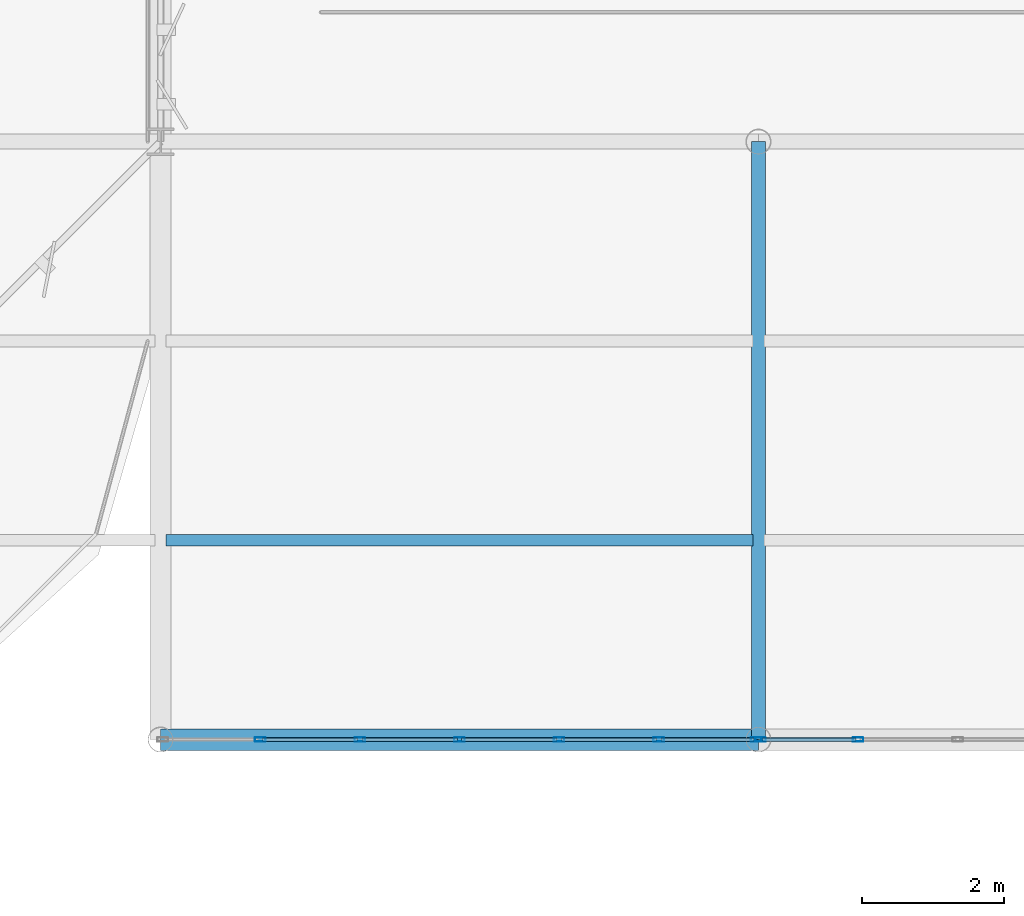
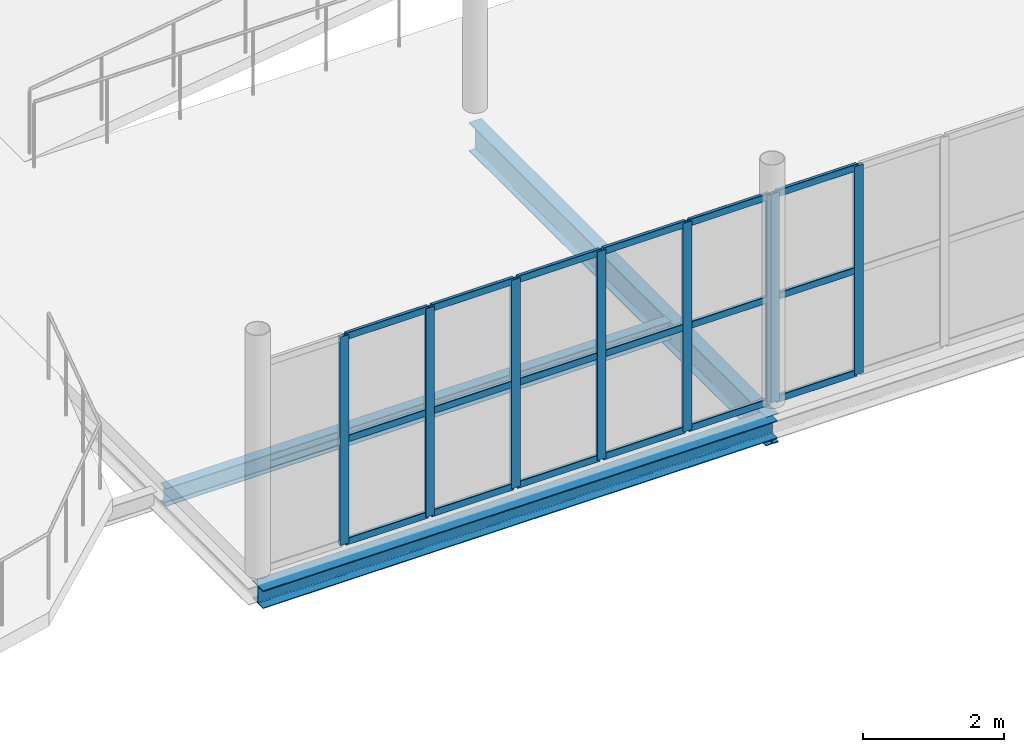
# One storey, part 130 of 184: 26 members, 3 beams, 2 elements without a shape of their own.
"""IFC4 building model written with IfcOpenShell, lengths in metres."""

from ifc_helpers import new_model, si_unit, direction, frame, origin, origin_2d, place, context, subcontext, project, spatial, hollow_rectangle, i_section, extrude, material, layer, layer_set, material_profile, profile_set, type_object, element, aggregate, save


model = new_model("IFC4")

# Units and contexts
model_context = context("Model", 3, precision=1e-05, world=origin(), true_north=direction((0.0, 1.0)))
body_context = subcontext(model_context, "Body", "Model", "MODEL_VIEW")
ifc_project = project(units=[si_unit("LENGTHUNIT", "METRE"), si_unit("AREAUNIT", "SQUARE_METRE"), si_unit("VOLUMEUNIT", "CUBIC_METRE"), si_unit("PLANEANGLEUNIT", "RADIAN"), si_unit("MASSUNIT", "GRAM", prefix="KILO")], contexts=[model_context])

# Site, building, storey
site_placement = place(None, origin())
site = spatial("IfcSite", under=ifc_project, at=site_placement, CompositionType="ELEMENT")
building_placement = place(site_placement, origin())
building = spatial("IfcBuilding", under=site, at=building_placement, Name="Qalvenar Corner Mobility Hub", CompositionType="ELEMENT")
storey_placement = place(building_placement, frame((0.0, 0.0, 9.0)))
storey = spatial("IfcBuildingStorey", under=building, at=storey_placement, Name="L02", CompositionType="ELEMENT", Elevation=9.0)

# Beams
ifc_material_1 = material(Name="Steel S355", Category="steel")
ifc_material_profile_1 = material_profile(ifc_material_1, i_section(OverallWidth=0.199951171875, OverallDepth=0.5, WebThickness=0.01025390625, FlangeThickness=0.01611328125, FilletRadius=0.02099609375, at=origin_2d()), Name="IPE500")
ifc_profile_set_1 = profile_set([ifc_material_profile_1], Name="Steel S355")
beam_type_1 = type_object("IfcBeamType", Name="BM-IPE500", PredefinedType="BEAM", material=ifc_profile_set_1)
beam_1_placement = place(storey_placement, frame((151.199951171875, 67.199951171875, -0.489990234375), z_axis=(0.0, 1.0, 0.0), x_axis=(-1.0, 0.0, 0.0)))
element("IfcBeam", 1, at=beam_1_placement, inside=storey, type_object=beam_type_1, Name="Primary Steel Girder GY-2130", PredefinedType="BEAM", context=body_context, shape_type="SweptSolid", body=[
    extrude(i_section(OverallWidth=0.199951171875, OverallDepth=0.5, WebThickness=0.01025390625, FlangeThickness=0.01611328125, FilletRadius=0.02099609375, at=origin_2d()), origin(), (0.0, 0.0, 1.0), 8.400146484375),
])
ifc_material_profile_2 = material_profile(ifc_material_1, i_section(OverallWidth=0.1650390625, OverallDepth=0.31005859375, WebThickness=0.005859375, FlangeThickness=0.009765625, FilletRadius=0.011962890625, at=origin_2d()), Name="W310x38.7")
ifc_profile_set_2 = profile_set([ifc_material_profile_2], Name="Steel S355")
beam_type_2 = type_object("IfcBeamType", Name="BM-JST310", PredefinedType="JOIST", material=ifc_profile_set_2)
beam_2_placement = place(storey_placement, frame((142.8779296875, 70.0, -0.39501953125), z_axis=(1.0, 0.0, 0.0), x_axis=(0.0, 1.0, 0.0)))
element("IfcBeam", 2, at=beam_2_placement, inside=storey, type_object=beam_type_2, Name="Composite Floor Joist J-2148", PredefinedType="JOIST", context=body_context, shape_type="SweptSolid", body=[
    extrude(i_section(OverallWidth=0.1650390625, OverallDepth=0.31005859375, WebThickness=0.005859375, FlangeThickness=0.009765625, FilletRadius=0.011962890625, at=origin_2d()), origin(), (0.0, 0.0, 1.0), 8.244140625),
])
ifc_material_profile_3 = material_profile(ifc_material_1, i_section(OverallWidth=0.300048828125, OverallDepth=0.31005859375, WebThickness=0.009033203125, FlangeThickness=0.015380859375, FilletRadius=0.027099609375, at=origin_2d()), Name="HEA320")
ifc_profile_set_3 = profile_set([ifc_material_profile_3], Name="Steel S355")
beam_type_3 = type_object("IfcBeamType", Name="BM-SPN320", PredefinedType="SPANDREL", material=ifc_profile_set_3)
beam_3_placement = place(storey_placement, frame((142.800048828125, 67.199951171875, -0.39501953125), z_axis=(1.0, 0.0, 0.0), x_axis=(0.0, 1.0, 0.0)))
element("IfcBeam", 3, at=beam_3_placement, inside=storey, type_object=beam_type_3, Name="Primary Steel Girder GX-2112", PredefinedType="SPANDREL", context=body_context, shape_type="SweptSolid", body=[
    extrude(i_section(OverallWidth=0.300048828125, OverallDepth=0.31005859375, WebThickness=0.009033203125, FlangeThickness=0.015380859375, FilletRadius=0.027099609375, at=origin_2d()), origin(), (0.0, 0.0, 1.0), 8.39990234375),
])

# Curtain wall, members
ifc_material_2 = material(Name="Anodised Aluminium and Low-E Glazing", Category="aluminium")
ifc_layer = layer(ifc_material_2, 0.1201171875)
ifc_layer_set = layer_set([ifc_layer], Name="Anodised Aluminium and Low-E Glazing")
curtain_wall_type = type_object("IfcCurtainWallType", Name="CW-STR-42X40", PredefinedType="NOTDEFINED", material=ifc_layer_set)
curtain_wall_1_placement = place(storey_placement, origin())
curtain_wall_1 = element("IfcCurtainWall", 4, at=curtain_wall_1_placement, inside=storey, type_object=curtain_wall_type, Name="Glazed Curtain Wall CW-V2-L02-S0", PredefinedType="NOTDEFINED")
ifc_material_3 = material(Name="Anodised Aluminium 6063-T6", Category="aluminium")
ifc_material_profile_4 = material_profile(ifc_material_3, hollow_rectangle(XDim=0.06005859375, YDim=0.14990234375, WallThickness=0.00390625, InnerFilletRadius=0.00390625, OuterFilletRadius=0.008056640625, at=origin_2d()), Name="RHS150x60x4")
ifc_profile_set_4 = profile_set([ifc_material_profile_4], Name="Anodised Aluminium 6063-T6")
member_type_1 = type_object("IfcMemberType", Name="CW-MUL150", PredefinedType="MULLION", material=ifc_profile_set_4)
member_1_placement = place(storey_placement, frame((144.199951171875, 67.199951171875, 0.0), z_axis=(0.0, 0.0, 1.0), x_axis=(0.0, 1.0, 0.0)))
member_1 = element("IfcMember", 5, at=member_1_placement, type_object=member_type_1, Name="CW-10 mullion 2", PredefinedType="MULLION", context=body_context, shape_type="SweptSolid", body=[
    extrude(hollow_rectangle(XDim=0.06005859375, YDim=0.14990234375, WallThickness=0.00390625, InnerFilletRadius=0.00390625, OuterFilletRadius=0.008056640625, at=origin_2d()), origin(), (0.0, 0.0, 1.0), 3.60009765625),
])
member_2_placement = place(storey_placement, frame((145.60009765625, 67.199951171875, 0.0), z_axis=(0.0, 0.0, 1.0), x_axis=(0.0, 1.0, 0.0)))
member_2 = element("IfcMember", 6, at=member_2_placement, type_object=member_type_1, Name="CW-10 mullion 3", PredefinedType="MULLION", context=body_context, shape_type="SweptSolid", body=[
    extrude(hollow_rectangle(XDim=0.06005859375, YDim=0.14990234375, WallThickness=0.00390625, InnerFilletRadius=0.00390625, OuterFilletRadius=0.008056640625, at=origin_2d()), origin(), (0.0, 0.0, 1.0), 3.60009765625),
])
member_3_placement = place(storey_placement, frame((147.0, 67.199951171875, 0.0), z_axis=(0.0, 0.0, 1.0), x_axis=(0.0, 1.0, 0.0)))
member_3 = element("IfcMember", 7, at=member_3_placement, type_object=member_type_1, Name="CW-10 mullion 4", PredefinedType="MULLION", context=body_context, shape_type="SweptSolid", body=[
    extrude(hollow_rectangle(XDim=0.06005859375, YDim=0.14990234375, WallThickness=0.00390625, InnerFilletRadius=0.00390625, OuterFilletRadius=0.008056640625, at=origin_2d()), origin(), (0.0, 0.0, 1.0), 3.60009765625),
])
member_4_placement = place(storey_placement, frame((148.39990234375, 67.199951171875, 0.0), z_axis=(0.0, 0.0, 1.0), x_axis=(0.0, 1.0, 0.0)))
member_4 = element("IfcMember", 8, at=member_4_placement, type_object=member_type_1, Name="CW-10 mullion 5", PredefinedType="MULLION", context=body_context, shape_type="SweptSolid", body=[
    extrude(hollow_rectangle(XDim=0.06005859375, YDim=0.14990234375, WallThickness=0.00390625, InnerFilletRadius=0.00390625, OuterFilletRadius=0.008056640625, at=origin_2d()), origin(), (0.0, 0.0, 1.0), 3.60009765625),
])
member_5_placement = place(storey_placement, frame((149.800048828125, 67.199951171875, 0.0), z_axis=(0.0, 0.0, 1.0), x_axis=(0.0, 1.0, 0.0)))
member_5 = element("IfcMember", 9, at=member_5_placement, type_object=member_type_1, Name="CW-10 mullion 6", PredefinedType="MULLION", context=body_context, shape_type="SweptSolid", body=[
    extrude(hollow_rectangle(XDim=0.06005859375, YDim=0.14990234375, WallThickness=0.00390625, InnerFilletRadius=0.00390625, OuterFilletRadius=0.008056640625, at=origin_2d()), origin(), (0.0, 0.0, 1.0), 3.60009765625),
])
member_6_placement = place(storey_placement, frame((151.169921875, 67.199951171875, 0.0), z_axis=(0.0, 0.0, 1.0), x_axis=(0.0, 1.0, 0.0)))
member_6 = element("IfcMember", 10, at=member_6_placement, type_object=member_type_1, Name="CW-10 mullion 7", PredefinedType="MULLION", context=body_context, shape_type="SweptSolid", body=[
    extrude(hollow_rectangle(XDim=0.06005859375, YDim=0.14990234375, WallThickness=0.00390625, InnerFilletRadius=0.00390625, OuterFilletRadius=0.008056640625, at=origin_2d()), origin(), (0.0, 0.0, 1.0), 3.60009765625),
])

curtain_wall_2_placement = place(storey_placement, origin())
curtain_wall_2 = element("IfcCurtainWall", 11, at=curtain_wall_2_placement, inside=storey, type_object=curtain_wall_type, Name="Glazed Curtain Wall CW-V2-L02-S1", PredefinedType="NOTDEFINED")
member_7_placement = place(storey_placement, frame((151.22998046875, 67.199951171875, 0.0), z_axis=(0.0, 0.0, 1.0), x_axis=(0.0, 1.0, 0.0)))
member_7 = element("IfcMember", 12, at=member_7_placement, type_object=member_type_1, Name="CW-10 mullion 1", PredefinedType="MULLION", context=body_context, shape_type="SweptSolid", body=[
    extrude(hollow_rectangle(XDim=0.06005859375, YDim=0.14990234375, WallThickness=0.00390625, InnerFilletRadius=0.00390625, OuterFilletRadius=0.008056640625, at=origin_2d()), origin(), (0.0, 0.0, 1.0), 3.60009765625),
])
member_8_placement = place(storey_placement, frame((152.60009765625, 67.199951171875, 0.0), z_axis=(0.0, 0.0, 1.0), x_axis=(0.0, 1.0, 0.0)))
member_8 = element("IfcMember", 13, at=member_8_placement, type_object=member_type_1, Name="CW-10 mullion 2", PredefinedType="MULLION", context=body_context, shape_type="SweptSolid", body=[
    extrude(hollow_rectangle(XDim=0.06005859375, YDim=0.14990234375, WallThickness=0.00390625, InnerFilletRadius=0.00390625, OuterFilletRadius=0.008056640625, at=origin_2d()), origin(), (0.0, 0.0, 1.0), 3.60009765625),
])

# Member
ifc_material_profile_5 = material_profile(ifc_material_3, hollow_rectangle(XDim=0.054931640625, YDim=0.1201171875, WallThickness=0.00341796875, InnerFilletRadius=0.00341796875, OuterFilletRadius=0.007080078125, at=origin_2d()), Name="RHS120x55x3.5")
ifc_profile_set_5 = profile_set([ifc_material_profile_5], Name="Anodised Aluminium 6063-T6")
member_type_2 = type_object("IfcMemberType", Name="CW-TRN120", PredefinedType="USERDEFINED", material=ifc_profile_set_5)
member_9_placement = place(storey_placement, frame((144.22998046875, 67.199951171875, 0.027587890625), z_axis=(1.0, 0.0, 0.0), x_axis=(0.0, 1.0, 0.0)))
member_9 = element("IfcMember", 14, at=member_9_placement, type_object=member_type_2, Name="CW-10 transom 2.1", ObjectType="TRANSOM", PredefinedType="USERDEFINED", context=body_context, shape_type="SweptSolid", body=[
    extrude(hollow_rectangle(XDim=0.054931640625, YDim=0.1201171875, WallThickness=0.00341796875, InnerFilletRadius=0.00341796875, OuterFilletRadius=0.007080078125, at=origin_2d()), origin(), (0.0, 0.0, 1.0), 1.340087890625),
])

member_10_placement = place(storey_placement, frame((144.22998046875, 67.199951171875, 1.800048828125), z_axis=(1.0, 0.0, 0.0), x_axis=(0.0, 1.0, 0.0)))
member_10 = element("IfcMember", 15, at=member_10_placement, type_object=member_type_2, Name="CW-10 transom 2.2", ObjectType="TRANSOM", PredefinedType="USERDEFINED", context=body_context, shape_type="SweptSolid", body=[
    extrude(hollow_rectangle(XDim=0.054931640625, YDim=0.1201171875, WallThickness=0.00341796875, InnerFilletRadius=0.00341796875, OuterFilletRadius=0.007080078125, at=origin_2d()), origin(), (0.0, 0.0, 1.0), 1.340087890625),
])

member_11_placement = place(storey_placement, frame((144.22998046875, 67.199951171875, 3.572509765625), z_axis=(1.0, 0.0, 0.0), x_axis=(0.0, 1.0, 0.0)))
member_11 = element("IfcMember", 16, at=member_11_placement, type_object=member_type_2, Name="CW-10 transom 2.3", ObjectType="TRANSOM", PredefinedType="USERDEFINED", context=body_context, shape_type="SweptSolid", body=[
    extrude(hollow_rectangle(XDim=0.054931640625, YDim=0.1201171875, WallThickness=0.00341796875, InnerFilletRadius=0.00341796875, OuterFilletRadius=0.007080078125, at=origin_2d()), origin(), (0.0, 0.0, 1.0), 1.340087890625),
])

member_12_placement = place(storey_placement, frame((145.6298828125, 67.199951171875, 0.027587890625), z_axis=(1.0, 0.0, 0.0), x_axis=(0.0, 1.0, 0.0)))
member_12 = element("IfcMember", 17, at=member_12_placement, type_object=member_type_2, Name="CW-10 transom 3.1", ObjectType="TRANSOM", PredefinedType="USERDEFINED", context=body_context, shape_type="SweptSolid", body=[
    extrude(hollow_rectangle(XDim=0.054931640625, YDim=0.1201171875, WallThickness=0.00341796875, InnerFilletRadius=0.00341796875, OuterFilletRadius=0.007080078125, at=origin_2d()), origin(), (0.0, 0.0, 1.0), 1.340087890625),
])

member_13_placement = place(storey_placement, frame((145.6298828125, 67.199951171875, 1.800048828125), z_axis=(1.0, 0.0, 0.0), x_axis=(0.0, 1.0, 0.0)))
member_13 = element("IfcMember", 18, at=member_13_placement, type_object=member_type_2, Name="CW-10 transom 3.2", ObjectType="TRANSOM", PredefinedType="USERDEFINED", context=body_context, shape_type="SweptSolid", body=[
    extrude(hollow_rectangle(XDim=0.054931640625, YDim=0.1201171875, WallThickness=0.00341796875, InnerFilletRadius=0.00341796875, OuterFilletRadius=0.007080078125, at=origin_2d()), origin(), (0.0, 0.0, 1.0), 1.340087890625),
])

member_14_placement = place(storey_placement, frame((145.6298828125, 67.199951171875, 3.572509765625), z_axis=(1.0, 0.0, 0.0), x_axis=(0.0, 1.0, 0.0)))
member_14 = element("IfcMember", 19, at=member_14_placement, type_object=member_type_2, Name="CW-10 transom 3.3", ObjectType="TRANSOM", PredefinedType="USERDEFINED", context=body_context, shape_type="SweptSolid", body=[
    extrude(hollow_rectangle(XDim=0.054931640625, YDim=0.1201171875, WallThickness=0.00341796875, InnerFilletRadius=0.00341796875, OuterFilletRadius=0.007080078125, at=origin_2d()), origin(), (0.0, 0.0, 1.0), 1.340087890625),
])

member_15_placement = place(storey_placement, frame((147.030029296875, 67.199951171875, 0.027587890625), z_axis=(1.0, 0.0, 0.0), x_axis=(0.0, 1.0, 0.0)))
member_15 = element("IfcMember", 20, at=member_15_placement, type_object=member_type_2, Name="CW-10 transom 4.1", ObjectType="TRANSOM", PredefinedType="USERDEFINED", context=body_context, shape_type="SweptSolid", body=[
    extrude(hollow_rectangle(XDim=0.054931640625, YDim=0.1201171875, WallThickness=0.00341796875, InnerFilletRadius=0.00341796875, OuterFilletRadius=0.007080078125, at=origin_2d()), origin(), (0.0, 0.0, 1.0), 1.340087890625),
])

member_16_placement = place(storey_placement, frame((147.030029296875, 67.199951171875, 1.800048828125), z_axis=(1.0, 0.0, 0.0), x_axis=(0.0, 1.0, 0.0)))
member_16 = element("IfcMember", 21, at=member_16_placement, type_object=member_type_2, Name="CW-10 transom 4.2", ObjectType="TRANSOM", PredefinedType="USERDEFINED", context=body_context, shape_type="SweptSolid", body=[
    extrude(hollow_rectangle(XDim=0.054931640625, YDim=0.1201171875, WallThickness=0.00341796875, InnerFilletRadius=0.00341796875, OuterFilletRadius=0.007080078125, at=origin_2d()), origin(), (0.0, 0.0, 1.0), 1.340087890625),
])

member_17_placement = place(storey_placement, frame((147.030029296875, 67.199951171875, 3.572509765625), z_axis=(1.0, 0.0, 0.0), x_axis=(0.0, 1.0, 0.0)))
member_17 = element("IfcMember", 22, at=member_17_placement, type_object=member_type_2, Name="CW-10 transom 4.3", ObjectType="TRANSOM", PredefinedType="USERDEFINED", context=body_context, shape_type="SweptSolid", body=[
    extrude(hollow_rectangle(XDim=0.054931640625, YDim=0.1201171875, WallThickness=0.00341796875, InnerFilletRadius=0.00341796875, OuterFilletRadius=0.007080078125, at=origin_2d()), origin(), (0.0, 0.0, 1.0), 1.340087890625),
])

member_18_placement = place(storey_placement, frame((148.429931640625, 67.199951171875, 0.027587890625), z_axis=(1.0, 0.0, 0.0), x_axis=(0.0, 1.0, 0.0)))
member_18 = element("IfcMember", 23, at=member_18_placement, type_object=member_type_2, Name="CW-10 transom 5.1", ObjectType="TRANSOM", PredefinedType="USERDEFINED", context=body_context, shape_type="SweptSolid", body=[
    extrude(hollow_rectangle(XDim=0.054931640625, YDim=0.1201171875, WallThickness=0.00341796875, InnerFilletRadius=0.00341796875, OuterFilletRadius=0.007080078125, at=origin_2d()), origin(), (0.0, 0.0, 1.0), 1.340087890625),
])

member_19_placement = place(storey_placement, frame((148.429931640625, 67.199951171875, 1.800048828125), z_axis=(1.0, 0.0, 0.0), x_axis=(0.0, 1.0, 0.0)))
member_19 = element("IfcMember", 24, at=member_19_placement, type_object=member_type_2, Name="CW-10 transom 5.2", ObjectType="TRANSOM", PredefinedType="USERDEFINED", context=body_context, shape_type="SweptSolid", body=[
    extrude(hollow_rectangle(XDim=0.054931640625, YDim=0.1201171875, WallThickness=0.00341796875, InnerFilletRadius=0.00341796875, OuterFilletRadius=0.007080078125, at=origin_2d()), origin(), (0.0, 0.0, 1.0), 1.340087890625),
])

member_20_placement = place(storey_placement, frame((148.429931640625, 67.199951171875, 3.572509765625), z_axis=(1.0, 0.0, 0.0), x_axis=(0.0, 1.0, 0.0)))
member_20 = element("IfcMember", 25, at=member_20_placement, type_object=member_type_2, Name="CW-10 transom 5.3", ObjectType="TRANSOM", PredefinedType="USERDEFINED", context=body_context, shape_type="SweptSolid", body=[
    extrude(hollow_rectangle(XDim=0.054931640625, YDim=0.1201171875, WallThickness=0.00341796875, InnerFilletRadius=0.00341796875, OuterFilletRadius=0.007080078125, at=origin_2d()), origin(), (0.0, 0.0, 1.0), 1.340087890625),
])

member_21_placement = place(storey_placement, frame((149.830078125, 67.199951171875, 0.027587890625), z_axis=(1.0, 0.0, 0.0), x_axis=(0.0, 1.0, 0.0)))
member_21 = element("IfcMember", 26, at=member_21_placement, type_object=member_type_2, Name="CW-10 transom 6.1", ObjectType="TRANSOM", PredefinedType="USERDEFINED", context=body_context, shape_type="SweptSolid", body=[
    extrude(hollow_rectangle(XDim=0.054931640625, YDim=0.1201171875, WallThickness=0.00341796875, InnerFilletRadius=0.00341796875, OuterFilletRadius=0.007080078125, at=origin_2d()), origin(), (0.0, 0.0, 1.0), 1.309814453125),
])

member_22_placement = place(storey_placement, frame((149.830078125, 67.199951171875, 1.800048828125), z_axis=(1.0, 0.0, 0.0), x_axis=(0.0, 1.0, 0.0)))
member_22 = element("IfcMember", 27, at=member_22_placement, type_object=member_type_2, Name="CW-10 transom 6.2", ObjectType="TRANSOM", PredefinedType="USERDEFINED", context=body_context, shape_type="SweptSolid", body=[
    extrude(hollow_rectangle(XDim=0.054931640625, YDim=0.1201171875, WallThickness=0.00341796875, InnerFilletRadius=0.00341796875, OuterFilletRadius=0.007080078125, at=origin_2d()), origin(), (0.0, 0.0, 1.0), 1.309814453125),
])

member_23_placement = place(storey_placement, frame((149.830078125, 67.199951171875, 3.572509765625), z_axis=(1.0, 0.0, 0.0), x_axis=(0.0, 1.0, 0.0)))
member_23 = element("IfcMember", 28, at=member_23_placement, type_object=member_type_2, Name="CW-10 transom 6.3", ObjectType="TRANSOM", PredefinedType="USERDEFINED", context=body_context, shape_type="SweptSolid", body=[
    extrude(hollow_rectangle(XDim=0.054931640625, YDim=0.1201171875, WallThickness=0.00341796875, InnerFilletRadius=0.00341796875, OuterFilletRadius=0.007080078125, at=origin_2d()), origin(), (0.0, 0.0, 1.0), 1.309814453125),
])

aggregate(curtain_wall_1, [member_1, member_2, member_3, member_4, member_5, member_6, member_9, member_10, member_11, member_12, member_13, member_14, member_15, member_16, member_17, member_18, member_19, member_20, member_21, member_22, member_23])

member_24_placement = place(storey_placement, frame((151.260009765625, 67.199951171875, 0.027587890625), z_axis=(1.0, 0.0, 0.0), x_axis=(0.0, 1.0, 0.0)))
member_24 = element("IfcMember", 29, at=member_24_placement, type_object=member_type_2, Name="CW-10 transom 1.1", ObjectType="TRANSOM", PredefinedType="USERDEFINED", context=body_context, shape_type="SweptSolid", body=[
    extrude(hollow_rectangle(XDim=0.054931640625, YDim=0.1201171875, WallThickness=0.00341796875, InnerFilletRadius=0.00341796875, OuterFilletRadius=0.007080078125, at=origin_2d()), origin(), (0.0, 0.0, 1.0), 1.31005859375),
])

member_25_placement = place(storey_placement, frame((151.260009765625, 67.199951171875, 1.800048828125), z_axis=(1.0, 0.0, 0.0), x_axis=(0.0, 1.0, 0.0)))
member_25 = element("IfcMember", 30, at=member_25_placement, type_object=member_type_2, Name="CW-10 transom 1.2", ObjectType="TRANSOM", PredefinedType="USERDEFINED", context=body_context, shape_type="SweptSolid", body=[
    extrude(hollow_rectangle(XDim=0.054931640625, YDim=0.1201171875, WallThickness=0.00341796875, InnerFilletRadius=0.00341796875, OuterFilletRadius=0.007080078125, at=origin_2d()), origin(), (0.0, 0.0, 1.0), 1.31005859375),
])

member_26_placement = place(storey_placement, frame((151.260009765625, 67.199951171875, 3.572509765625), z_axis=(1.0, 0.0, 0.0), x_axis=(0.0, 1.0, 0.0)))
member_26 = element("IfcMember", 31, at=member_26_placement, type_object=member_type_2, Name="CW-10 transom 1.3", ObjectType="TRANSOM", PredefinedType="USERDEFINED", context=body_context, shape_type="SweptSolid", body=[
    extrude(hollow_rectangle(XDim=0.054931640625, YDim=0.1201171875, WallThickness=0.00341796875, InnerFilletRadius=0.00341796875, OuterFilletRadius=0.007080078125, at=origin_2d()), origin(), (0.0, 0.0, 1.0), 1.31005859375),
])

aggregate(curtain_wall_2, [member_7, member_8, member_24, member_25, member_26])

save(model, "model.ifc")
